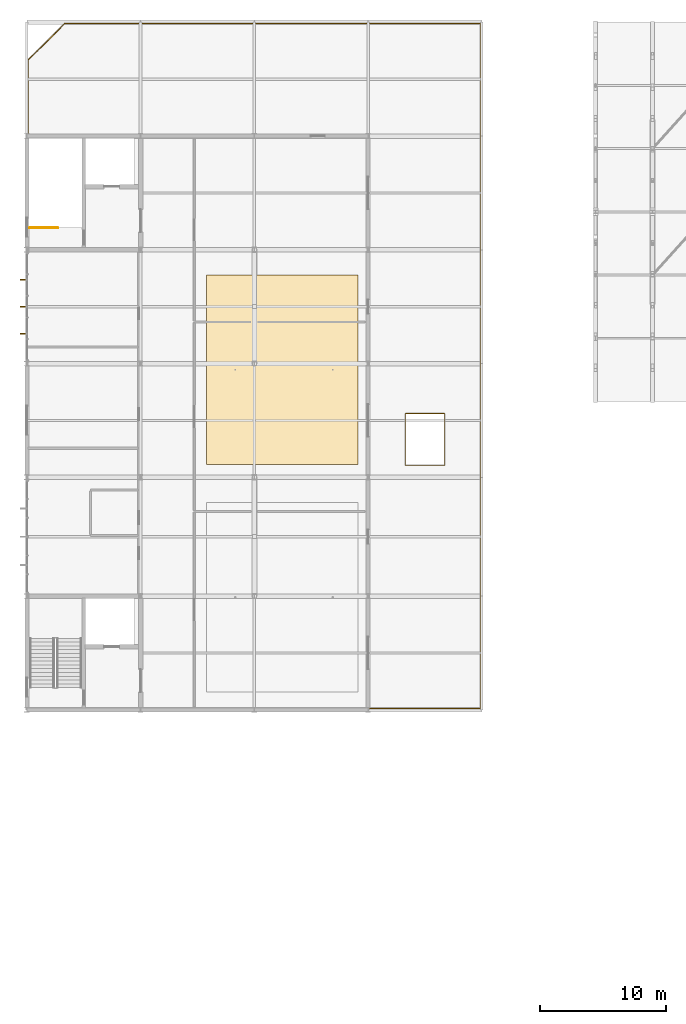
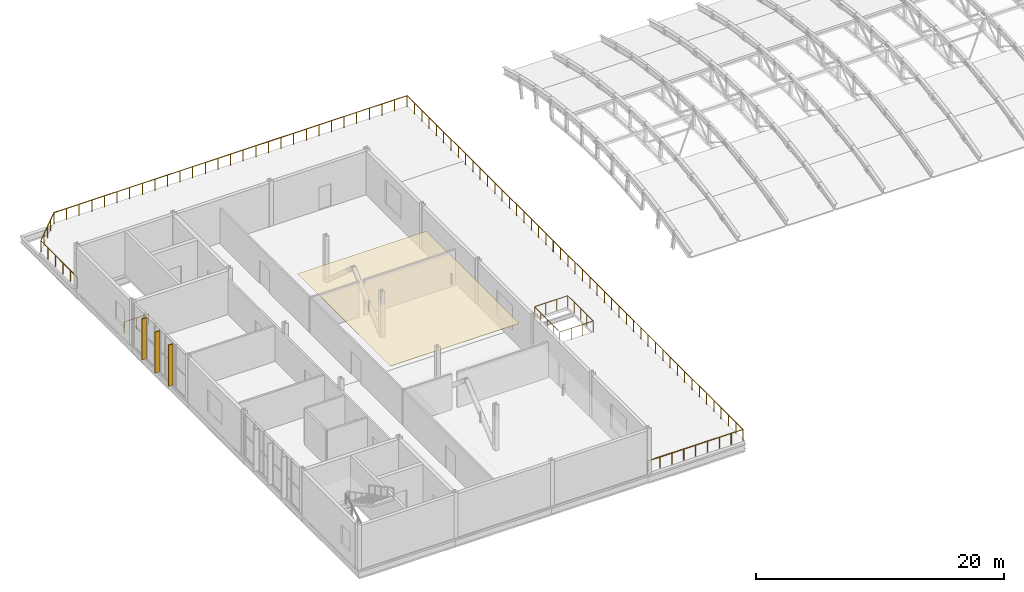
# One storey, part 52 of 53: 3 railings, 3 shading devices, 1 covering.
"""IFC4 building model written with IfcOpenShell, lengths in metres."""

from ifc_helpers import new_model, si_unit, direction, frame, origin, origin_2d, place, context, subcontext, project, spatial, polyline, rectangle, circle, outline, extrude, material, layer, layer_set, type_object, element, save


model = new_model("IFC4")

# Units and contexts
model_context = context("Model", 3, precision=1e-05, world=origin(), true_north=direction((0.0, 1.0)))
body_context = subcontext(model_context, "Body", "Model", "MODEL_VIEW")
ifc_project = project(units=[si_unit("LENGTHUNIT", "METRE"), si_unit("AREAUNIT", "SQUARE_METRE"), si_unit("VOLUMEUNIT", "CUBIC_METRE"), si_unit("PLANEANGLEUNIT", "RADIAN"), si_unit("MASSUNIT", "GRAM", prefix="KILO")], contexts=[model_context])

# Site, building, storey
site_placement = place(None, origin())
site = spatial("IfcSite", under=ifc_project, at=site_placement, CompositionType="ELEMENT")
building_placement = place(site_placement, origin())
building = spatial("IfcBuilding", under=site, at=building_placement, Name="Cazmaro Siding Exhibition Halls", CompositionType="ELEMENT")
storey_placement = place(building_placement, frame((0.0, 0.0, 21.0)))
storey = spatial("IfcBuildingStorey", under=building, at=storey_placement, Name="L04", CompositionType="ELEMENT", Elevation=21.0)

# Covering
ifc_material_1 = material(Name="Perforated Micro-Slotted Acoustic Timber Ceiling Cloud", Category="wood")
ifc_layer = layer(ifc_material_1, 0.02490234375)
ifc_layer_set = layer_set([ifc_layer], Name="Perforated Micro-Slotted Acoustic Timber Ceiling Cloud")
covering_type = type_object("IfcCoveringType", Name="COV-CEIL-01", PredefinedType="CEILING", material=ifc_layer_set)
covering_placement = place(storey_placement, frame((0.0, 0.0, 3.199951171875)))
element("IfcCovering", 1, at=covering_placement, inside=storey, type_object=covering_type, Name="Acoustic Timber Ceiling Cloud 010", PredefinedType="CEILING", context=body_context, shape_type="SweptSolid", body=[
    extrude(outline(polyline([(14.199951171875, 74.0), (26.199951171875, 74.0), (26.199951171875, 89.0), (14.199951171875, 89.0), (14.199951171875, 74.0)])), origin(), (0.0, 0.0, 1.0), 0.025146484375),
])

# Railings
ifc_material_2 = material(Name="Laminated Glass and Brushed Stainless Steel Balustrade", Category="steel")
railing_type_1 = type_object("IfcRailingType", Name="RL-BAL-01", PredefinedType="BALUSTRADE", material=ifc_material_2)
railing_1_placement = place(storey_placement, frame((27.050048828125, 54.699951171875, 0.0)))
element("IfcRailing", 2, at=railing_1_placement, inside=storey, type_object=railing_type_1, Name="L04 Roof Terrace Perimeter Guard RL-BAL-01 RL-G003", PredefinedType="BALUSTRADE", context=body_context, shape_type="SweptSolid", body=[
    extrude(circle(Radius=0.02392578125, at=origin_2d()), frame((0.0, 0.0, 1.09619140625), z_axis=(1.0, 0.0, 0.0), x_axis=(0.0, 1.0, 0.0)), (0.0, 0.0, 1.0), 8.849853515625),
    extrude(circle(Radius=0.02392578125, at=origin_2d()), frame((8.849853515625, 0.0, 1.09619140625), z_axis=(0.0, 1.0, 0.0), x_axis=(-1.0, 0.0, 0.0)), (0.0, 0.0, 1.0), 54.199951171875),
    extrude(circle(Radius=0.02392578125, at=origin_2d()), frame((8.849853515625, 54.199951171875, 1.09619140625), z_axis=(-1.0, 0.0, 0.0), x_axis=(0.0, -1.0, 0.0)), (0.0, 0.0, 1.0), 32.89990234375),
    extrude(circle(Radius=0.02392578125, at=origin_2d()), frame((-24.050048828125, 54.199951171875, 1.09619140625), z_axis=(-0.707106781187, -0.707106781187, 0.0), x_axis=(0.707106781187, -0.707106781187, 0.0)), (0.0, 0.0, 1.0), 4.10107421875),
    extrude(circle(Radius=0.02392578125, at=origin_2d()), frame((-26.949951171875, 51.300048828125, 1.09619140625), z_axis=(0.0, -1.0, 0.0), x_axis=(1.0, 0.0, 0.0)), (0.0, 0.0, 1.0), 5.949951171875),
    extrude(circle(Radius=0.02099609375, at=origin_2d()), origin(), (0.0, 0.0, 1.0), 1.072021484375),
    extrude(circle(Radius=0.02099609375, at=origin_2d()), frame((1.106201171875, 0.0, 0.0)), (0.0, 0.0, 1.0), 1.072021484375),
    extrude(circle(Radius=0.02099609375, at=origin_2d()), frame((2.21240234375, 0.0, 0.0)), (0.0, 0.0, 1.0), 1.072021484375),
    extrude(circle(Radius=0.02099609375, at=origin_2d()), frame((3.318603515625, 0.0, 0.0)), (0.0, 0.0, 1.0), 1.072021484375),
    extrude(circle(Radius=0.02099609375, at=origin_2d()), frame((4.4248046875, 0.0, 0.0)), (0.0, 0.0, 1.0), 1.072021484375),
    extrude(circle(Radius=0.02099609375, at=origin_2d()), frame((5.53125, 0.0, 0.0)), (0.0, 0.0, 1.0), 1.072021484375),
    extrude(circle(Radius=0.02099609375, at=origin_2d()), frame((6.637451171875, 0.0, 0.0)), (0.0, 0.0, 1.0), 1.072021484375),
    extrude(circle(Radius=0.02099609375, at=origin_2d()), frame((7.74365234375, 0.0, 0.0)), (0.0, 0.0, 1.0), 1.072021484375),
    extrude(circle(Radius=0.02099609375, at=origin_2d()), frame((8.849853515625, 0.0, 0.0)), (0.0, 0.0, 1.0), 1.072021484375),
    extrude(circle(Radius=0.02099609375, at=origin_2d()), frame((8.849853515625, 1.17822265625, 0.0)), (0.0, 0.0, 1.0), 1.072021484375),
    extrude(circle(Radius=0.02099609375, at=origin_2d()), frame((8.849853515625, 2.3564453125, 0.0)), (0.0, 0.0, 1.0), 1.072021484375),
    extrude(circle(Radius=0.02099609375, at=origin_2d()), frame((8.849853515625, 3.53466796875, 0.0)), (0.0, 0.0, 1.0), 1.072021484375),
    extrude(circle(Radius=0.02099609375, at=origin_2d()), frame((8.849853515625, 4.713134765625, 0.0)), (0.0, 0.0, 1.0), 1.072021484375),
    extrude(circle(Radius=0.02099609375, at=origin_2d()), frame((8.849853515625, 5.891357421875, 0.0)), (0.0, 0.0, 1.0), 1.072021484375),
    extrude(circle(Radius=0.02099609375, at=origin_2d()), frame((8.849853515625, 7.069580078125, 0.0)), (0.0, 0.0, 1.0), 1.072021484375),
    extrude(circle(Radius=0.02099609375, at=origin_2d()), frame((8.849853515625, 8.247802734375, 0.0)), (0.0, 0.0, 1.0), 1.072021484375),
    extrude(circle(Radius=0.02099609375, at=origin_2d()), frame((8.849853515625, 9.426025390625, 0.0)), (0.0, 0.0, 1.0), 1.072021484375),
    extrude(circle(Radius=0.02099609375, at=origin_2d()), frame((8.849853515625, 10.604248046875, 0.0)), (0.0, 0.0, 1.0), 1.072021484375),
    extrude(circle(Radius=0.02099609375, at=origin_2d()), frame((8.849853515625, 11.78271484375, 0.0)), (0.0, 0.0, 1.0), 1.072021484375),
    extrude(circle(Radius=0.02099609375, at=origin_2d()), frame((8.849853515625, 12.9609375, 0.0)), (0.0, 0.0, 1.0), 1.072021484375),
    extrude(circle(Radius=0.02099609375, at=origin_2d()), frame((8.849853515625, 14.13916015625, 0.0)), (0.0, 0.0, 1.0), 1.072021484375),
    extrude(circle(Radius=0.02099609375, at=origin_2d()), frame((8.849853515625, 15.3173828125, 0.0)), (0.0, 0.0, 1.0), 1.072021484375),
    extrude(circle(Radius=0.02099609375, at=origin_2d()), frame((8.849853515625, 16.49560546875, 0.0)), (0.0, 0.0, 1.0), 1.072021484375),
    extrude(circle(Radius=0.02099609375, at=origin_2d()), frame((8.849853515625, 17.673828125, 0.0)), (0.0, 0.0, 1.0), 1.072021484375),
    extrude(circle(Radius=0.02099609375, at=origin_2d()), frame((8.849853515625, 18.85205078125, 0.0)), (0.0, 0.0, 1.0), 1.072021484375),
    extrude(circle(Radius=0.02099609375, at=origin_2d()), frame((8.849853515625, 20.030517578125, 0.0)), (0.0, 0.0, 1.0), 1.072021484375),
    extrude(circle(Radius=0.02099609375, at=origin_2d()), frame((8.849853515625, 21.208740234375, 0.0)), (0.0, 0.0, 1.0), 1.072021484375),
    extrude(circle(Radius=0.02099609375, at=origin_2d()), frame((8.849853515625, 22.386962890625, 0.0)), (0.0, 0.0, 1.0), 1.072021484375),
    extrude(circle(Radius=0.02099609375, at=origin_2d()), frame((8.849853515625, 23.565185546875, 0.0)), (0.0, 0.0, 1.0), 1.072021484375),
    extrude(circle(Radius=0.02099609375, at=origin_2d()), frame((8.849853515625, 24.743408203125, 0.0)), (0.0, 0.0, 1.0), 1.072021484375),
    extrude(circle(Radius=0.02099609375, at=origin_2d()), frame((8.849853515625, 25.921630859375, 0.0)), (0.0, 0.0, 1.0), 1.072021484375),
    extrude(circle(Radius=0.02099609375, at=origin_2d()), frame((8.849853515625, 27.10009765625, 0.0)), (0.0, 0.0, 1.0), 1.072021484375),
    extrude(circle(Radius=0.02099609375, at=origin_2d()), frame((8.849853515625, 28.2783203125, 0.0)), (0.0, 0.0, 1.0), 1.072021484375),
    extrude(circle(Radius=0.02099609375, at=origin_2d()), frame((8.849853515625, 29.45654296875, 0.0)), (0.0, 0.0, 1.0), 1.072021484375),
    extrude(circle(Radius=0.02099609375, at=origin_2d()), frame((8.849853515625, 30.634765625, 0.0)), (0.0, 0.0, 1.0), 1.072021484375),
    extrude(circle(Radius=0.02099609375, at=origin_2d()), frame((8.849853515625, 31.81298828125, 0.0)), (0.0, 0.0, 1.0), 1.072021484375),
    extrude(circle(Radius=0.02099609375, at=origin_2d()), frame((8.849853515625, 32.9912109375, 0.0)), (0.0, 0.0, 1.0), 1.072021484375),
    extrude(circle(Radius=0.02099609375, at=origin_2d()), frame((8.849853515625, 34.16943359375, 0.0)), (0.0, 0.0, 1.0), 1.072021484375),
    extrude(circle(Radius=0.02099609375, at=origin_2d()), frame((8.849853515625, 35.347900390625, 0.0)), (0.0, 0.0, 1.0), 1.072021484375),
    extrude(circle(Radius=0.02099609375, at=origin_2d()), frame((8.849853515625, 36.526123046875, 0.0)), (0.0, 0.0, 1.0), 1.072021484375),
    extrude(circle(Radius=0.02099609375, at=origin_2d()), frame((8.849853515625, 37.704345703125, 0.0)), (0.0, 0.0, 1.0), 1.072021484375),
    extrude(circle(Radius=0.02099609375, at=origin_2d()), frame((8.849853515625, 38.882568359375, 0.0)), (0.0, 0.0, 1.0), 1.072021484375),
    extrude(circle(Radius=0.02099609375, at=origin_2d()), frame((8.849853515625, 40.060791015625, 0.0)), (0.0, 0.0, 1.0), 1.072021484375),
    extrude(circle(Radius=0.02099609375, at=origin_2d()), frame((8.849853515625, 41.239013671875, 0.0)), (0.0, 0.0, 1.0), 1.072021484375),
    extrude(circle(Radius=0.02099609375, at=origin_2d()), frame((8.849853515625, 42.417236328125, 0.0)), (0.0, 0.0, 1.0), 1.072021484375),
    extrude(circle(Radius=0.02099609375, at=origin_2d()), frame((8.849853515625, 43.595703125, 0.0)), (0.0, 0.0, 1.0), 1.072021484375),
    extrude(circle(Radius=0.02099609375, at=origin_2d()), frame((8.849853515625, 44.77392578125, 0.0)), (0.0, 0.0, 1.0), 1.072021484375),
    extrude(circle(Radius=0.02099609375, at=origin_2d()), frame((8.849853515625, 45.9521484375, 0.0)), (0.0, 0.0, 1.0), 1.072021484375),
    extrude(circle(Radius=0.02099609375, at=origin_2d()), frame((8.849853515625, 47.13037109375, 0.0)), (0.0, 0.0, 1.0), 1.072021484375),
    extrude(circle(Radius=0.02099609375, at=origin_2d()), frame((8.849853515625, 48.30859375, 0.0)), (0.0, 0.0, 1.0), 1.072021484375),
    extrude(circle(Radius=0.02099609375, at=origin_2d()), frame((8.849853515625, 49.48681640625, 0.0)), (0.0, 0.0, 1.0), 1.072021484375),
    extrude(circle(Radius=0.02099609375, at=origin_2d()), frame((8.849853515625, 50.665283203125, 0.0)), (0.0, 0.0, 1.0), 1.072021484375),
    extrude(circle(Radius=0.02099609375, at=origin_2d()), frame((8.849853515625, 51.843505859375, 0.0)), (0.0, 0.0, 1.0), 1.072021484375),
    extrude(circle(Radius=0.02099609375, at=origin_2d()), frame((8.849853515625, 53.021728515625, 0.0)), (0.0, 0.0, 1.0), 1.072021484375),
    extrude(circle(Radius=0.02099609375, at=origin_2d()), frame((8.849853515625, 54.199951171875, 0.0)), (0.0, 0.0, 1.0), 1.072021484375),
    extrude(circle(Radius=0.02099609375, at=origin_2d()), frame((7.6748046875, 54.199951171875, 0.0)), (0.0, 0.0, 1.0), 1.072021484375),
    extrude(circle(Radius=0.02099609375, at=origin_2d()), frame((6.499755859375, 54.199951171875, 0.0)), (0.0, 0.0, 1.0), 1.072021484375),
    extrude(circle(Radius=0.02099609375, at=origin_2d()), frame((5.324951171875, 54.199951171875, 0.0)), (0.0, 0.0, 1.0), 1.072021484375),
    extrude(circle(Radius=0.02099609375, at=origin_2d()), frame((4.14990234375, 54.199951171875, 0.0)), (0.0, 0.0, 1.0), 1.072021484375),
    extrude(circle(Radius=0.02099609375, at=origin_2d()), frame((2.974853515625, 54.199951171875, 0.0)), (0.0, 0.0, 1.0), 1.072021484375),
    extrude(circle(Radius=0.02099609375, at=origin_2d()), frame((1.7998046875, 54.199951171875, 0.0)), (0.0, 0.0, 1.0), 1.072021484375),
    extrude(circle(Radius=0.02099609375, at=origin_2d()), frame((0.625, 54.199951171875, 0.0)), (0.0, 0.0, 1.0), 1.072021484375),
    extrude(circle(Radius=0.02099609375, at=origin_2d()), frame((-0.550048828125, 54.199951171875, 0.0)), (0.0, 0.0, 1.0), 1.072021484375),
    extrude(circle(Radius=0.02099609375, at=origin_2d()), frame((-1.72509765625, 54.199951171875, 0.0)), (0.0, 0.0, 1.0), 1.072021484375),
    extrude(circle(Radius=0.02099609375, at=origin_2d()), frame((-2.900146484375, 54.199951171875, 0.0)), (0.0, 0.0, 1.0), 1.072021484375),
    extrude(circle(Radius=0.02099609375, at=origin_2d()), frame((-4.0751953125, 54.199951171875, 0.0)), (0.0, 0.0, 1.0), 1.072021484375),
    extrude(circle(Radius=0.02099609375, at=origin_2d()), frame((-5.25, 54.199951171875, 0.0)), (0.0, 0.0, 1.0), 1.072021484375),
    extrude(circle(Radius=0.02099609375, at=origin_2d()), frame((-6.425048828125, 54.199951171875, 0.0)), (0.0, 0.0, 1.0), 1.072021484375),
    extrude(circle(Radius=0.02099609375, at=origin_2d()), frame((-7.60009765625, 54.199951171875, 0.0)), (0.0, 0.0, 1.0), 1.072021484375),
    extrude(circle(Radius=0.02099609375, at=origin_2d()), frame((-8.775146484375, 54.199951171875, 0.0)), (0.0, 0.0, 1.0), 1.072021484375),
    extrude(circle(Radius=0.02099609375, at=origin_2d()), frame((-9.9501953125, 54.199951171875, 0.0)), (0.0, 0.0, 1.0), 1.072021484375),
    extrude(circle(Radius=0.02099609375, at=origin_2d()), frame((-11.125, 54.199951171875, 0.0)), (0.0, 0.0, 1.0), 1.072021484375),
    extrude(circle(Radius=0.02099609375, at=origin_2d()), frame((-12.300048828125, 54.199951171875, 0.0)), (0.0, 0.0, 1.0), 1.072021484375),
    extrude(circle(Radius=0.02099609375, at=origin_2d()), frame((-13.47509765625, 54.199951171875, 0.0)), (0.0, 0.0, 1.0), 1.072021484375),
    extrude(circle(Radius=0.02099609375, at=origin_2d()), frame((-14.650146484375, 54.199951171875, 0.0)), (0.0, 0.0, 1.0), 1.072021484375),
    extrude(circle(Radius=0.02099609375, at=origin_2d()), frame((-15.8251953125, 54.199951171875, 0.0)), (0.0, 0.0, 1.0), 1.072021484375),
    extrude(circle(Radius=0.02099609375, at=origin_2d()), frame((-17.0, 54.199951171875, 0.0)), (0.0, 0.0, 1.0), 1.072021484375),
    extrude(circle(Radius=0.02099609375, at=origin_2d()), frame((-18.175048828125, 54.199951171875, 0.0)), (0.0, 0.0, 1.0), 1.072021484375),
    extrude(circle(Radius=0.02099609375, at=origin_2d()), frame((-19.35009765625, 54.199951171875, 0.0)), (0.0, 0.0, 1.0), 1.072021484375),
    extrude(circle(Radius=0.02099609375, at=origin_2d()), frame((-20.525146484375, 54.199951171875, 0.0)), (0.0, 0.0, 1.0), 1.072021484375),
    extrude(circle(Radius=0.02099609375, at=origin_2d()), frame((-21.699951171875, 54.199951171875, 0.0)), (0.0, 0.0, 1.0), 1.072021484375),
    extrude(circle(Radius=0.02099609375, at=origin_2d()), frame((-22.875, 54.199951171875, 0.0)), (0.0, 0.0, 1.0), 1.072021484375),
    extrude(circle(Radius=0.02099609375, at=origin_2d()), frame((-24.050048828125, 54.199951171875, 0.0)), (0.0, 0.0, 1.0), 1.072021484375),
    extrude(circle(Radius=0.02099609375, at=origin_2d()), frame((-24.77490234375, 53.47509765625, 0.0)), (0.0, 0.0, 1.0), 1.072021484375),
    extrude(circle(Radius=0.02099609375, at=origin_2d()), frame((-25.5, 52.75, 0.0)), (0.0, 0.0, 1.0), 1.072021484375),
    extrude(circle(Radius=0.02099609375, at=origin_2d()), frame((-26.22509765625, 52.02490234375, 0.0)), (0.0, 0.0, 1.0), 1.072021484375),
    extrude(circle(Radius=0.02099609375, at=origin_2d()), frame((-26.949951171875, 51.300048828125, 0.0)), (0.0, 0.0, 1.0), 1.072021484375),
    extrude(circle(Radius=0.02099609375, at=origin_2d()), frame((-26.949951171875, 50.110107421875, 0.0)), (0.0, 0.0, 1.0), 1.072021484375),
    extrude(circle(Radius=0.02099609375, at=origin_2d()), frame((-26.949951171875, 48.920166015625, 0.0)), (0.0, 0.0, 1.0), 1.072021484375),
    extrude(circle(Radius=0.02099609375, at=origin_2d()), frame((-26.949951171875, 47.72998046875, 0.0)), (0.0, 0.0, 1.0), 1.072021484375),
    extrude(circle(Radius=0.02099609375, at=origin_2d()), frame((-26.949951171875, 46.5400390625, 0.0)), (0.0, 0.0, 1.0), 1.072021484375),
    extrude(circle(Radius=0.02099609375, at=origin_2d()), frame((-26.949951171875, 45.35009765625, 0.0)), (0.0, 0.0, 1.0), 1.072021484375),
])
railing_2_placement = place(storey_placement, frame((29.949951171875, 73.949951171875, 0.0)))
element("IfcRailing", 3, at=railing_2_placement, inside=storey, type_object=railing_type_1, Name="L04 Terrace Lightwell Guard RL-BAL-01 RL-G004", PredefinedType="BALUSTRADE", context=body_context, shape_type="SweptSolid", body=[
    extrude(circle(Radius=0.02392578125, at=origin_2d()), frame((0.0, 0.0, 1.09619140625), z_axis=(1.0, 0.0, 0.0), x_axis=(0.0, 1.0, 0.0)), (0.0, 0.0, 1.0), 3.10009765625),
    extrude(circle(Radius=0.02392578125, at=origin_2d()), frame((3.10009765625, 0.0, 1.09619140625), z_axis=(0.0, 1.0, 0.0), x_axis=(-1.0, 0.0, 0.0)), (0.0, 0.0, 1.0), 4.10009765625),
    extrude(circle(Radius=0.02392578125, at=origin_2d()), frame((3.10009765625, 4.10009765625, 1.09619140625), z_axis=(-1.0, 0.0, 0.0), x_axis=(0.0, -1.0, 0.0)), (0.0, 0.0, 1.0), 3.10009765625),
    extrude(circle(Radius=0.02392578125, at=origin_2d()), frame((0.0, 4.10009765625, 1.09619140625), z_axis=(0.0, -1.0, 0.0), x_axis=(1.0, 0.0, 0.0)), (0.0, 0.0, 1.0), 4.0400390625),
    extrude(circle(Radius=0.02099609375, at=origin_2d()), origin(), (0.0, 0.0, 1.0), 1.072021484375),
    extrude(circle(Radius=0.02099609375, at=origin_2d()), frame((1.033447265625, 0.0, 0.0)), (0.0, 0.0, 1.0), 1.072021484375),
    extrude(circle(Radius=0.02099609375, at=origin_2d()), frame((2.066650390625, 0.0, 0.0)), (0.0, 0.0, 1.0), 1.072021484375),
    extrude(circle(Radius=0.02099609375, at=origin_2d()), frame((3.10009765625, 0.0, 0.0)), (0.0, 0.0, 1.0), 1.072021484375),
    extrude(circle(Radius=0.02099609375, at=origin_2d()), frame((3.10009765625, 1.02490234375, 0.0)), (0.0, 0.0, 1.0), 1.072021484375),
    extrude(circle(Radius=0.02099609375, at=origin_2d()), frame((3.10009765625, 2.050048828125, 0.0)), (0.0, 0.0, 1.0), 1.072021484375),
    extrude(circle(Radius=0.02099609375, at=origin_2d()), frame((3.10009765625, 3.0751953125, 0.0)), (0.0, 0.0, 1.0), 1.072021484375),
    extrude(circle(Radius=0.02099609375, at=origin_2d()), frame((3.10009765625, 4.10009765625, 0.0)), (0.0, 0.0, 1.0), 1.072021484375),
    extrude(circle(Radius=0.02099609375, at=origin_2d()), frame((2.066650390625, 4.10009765625, 0.0)), (0.0, 0.0, 1.0), 1.072021484375),
    extrude(circle(Radius=0.02099609375, at=origin_2d()), frame((1.033447265625, 4.10009765625, 0.0)), (0.0, 0.0, 1.0), 1.072021484375),
    extrude(circle(Radius=0.02099609375, at=origin_2d()), frame((0.0, 4.10009765625, 0.0)), (0.0, 0.0, 1.0), 1.072021484375),
    extrude(circle(Radius=0.02099609375, at=origin_2d()), frame((0.0, 3.090087890625, 0.0)), (0.0, 0.0, 1.0), 1.072021484375),
    extrude(circle(Radius=0.02099609375, at=origin_2d()), frame((0.0, 2.080078125, 0.0)), (0.0, 0.0, 1.0), 1.072021484375),
    extrude(circle(Radius=0.02099609375, at=origin_2d()), frame((0.0, 1.070068359375, 0.0)), (0.0, 0.0, 1.0), 1.072021484375),
    extrude(circle(Radius=0.02099609375, at=origin_2d()), frame((0.0, 0.06005859375, 0.0)), (0.0, 0.0, 1.0), 1.072021484375),
])
ifc_material_3 = material(Name="Painted Steel Stairwell Guardrail", Category="steel")
railing_type_2 = type_object("IfcRailingType", Name="RL-GRD-01", PredefinedType="GUARDRAIL", material=ifc_material_3)
railing_3_placement = place(storey_placement, frame((0.215087890625, 92.739990234375, 0.0)))
element("IfcRailing", 4, at=railing_3_placement, inside=storey, type_object=railing_type_2, Name="Core C8 L04 Top Stairwell Guard RL-GRD-01 RL-SG042", PredefinedType="GUARDRAIL", context=body_context, shape_type="SweptSolid", body=[
    extrude(circle(Radius=0.02392578125, at=origin_2d()), frame((0.0, 0.0, 1.09619140625), z_axis=(1.0, 0.0, 0.0), x_axis=(0.0, 1.0, 0.0)), (0.0, 0.0, 1.0), 2.244873046875),
    extrude(circle(Radius=0.02099609375, at=origin_2d()), origin(), (0.0, 0.0, 1.0), 1.072021484375),
    extrude(circle(Radius=0.02099609375, at=origin_2d()), frame((1.12255859375, 0.0, 0.0)), (0.0, 0.0, 1.0), 1.072021484375),
    extrude(circle(Radius=0.02099609375, at=origin_2d()), frame((2.244873046875, 0.0, 0.0)), (0.0, 0.0, 1.0), 1.072021484375),
])

# Shading devices
ifc_material_4 = material(Name="Extruded Kiln-Fired Terracotta Sunshade Louver", Category="concrete")
shading_device_type = type_object("IfcShadingDeviceType", Name="SHD-TC-01", PredefinedType="USERDEFINED", material=ifc_material_4)
for number, where, z_axis, x_axis, name in (
    (5, (-0.31494140625, 84.364990234375, 0.125), (0.0, 0.0, 1.0), (1.0, 0.0, 0.0), "Extruded Terracotta Vertical Sunshade Fin SHD-01 049"),
    (6, (-0.31494140625, 86.5, 0.125), (0.0, 0.0, 1.0), (1.0, 0.0, 0.0), "Extruded Terracotta Vertical Sunshade Fin SHD-01 050"),
    (7, (-0.31494140625, 88.634033203125, 0.125), (0.0, 0.0, 1.0), (1.0, 0.0, 0.0), "Extruded Terracotta Vertical Sunshade Fin SHD-01 051"),
):
    element("IfcShadingDevice", number, at=place(storey_placement, frame(where, z_axis=z_axis, x_axis=x_axis)), inside=storey, type_object=shading_device_type, Name=name, ObjectType="SUNSHADE", PredefinedType="USERDEFINED", context=body_context, shape_type="SweptSolid", body=[
        extrude(rectangle(XDim=0.449951171875, YDim=0.090087890625, at=origin_2d()), origin(), (0.0, 0.0, 1.0), 4.0400390625),
    ])

save(model, "model.ifc")
